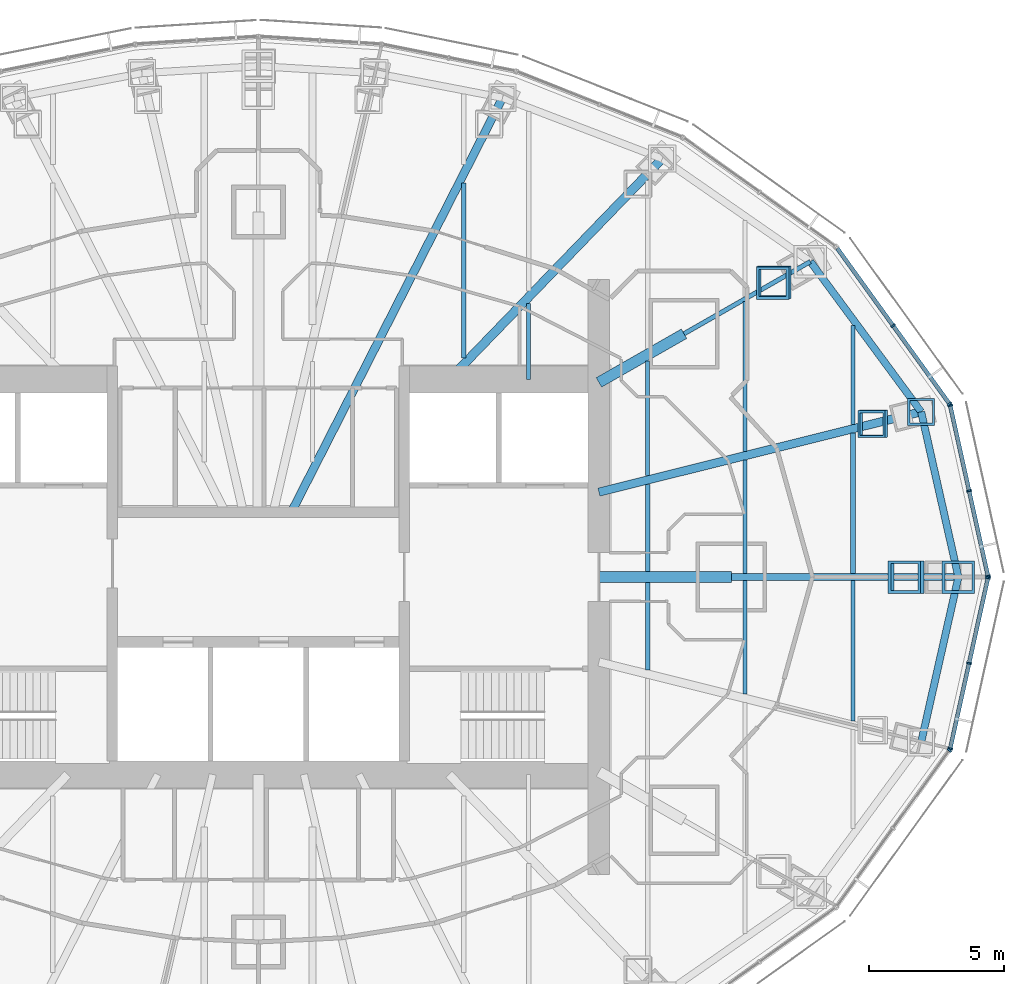
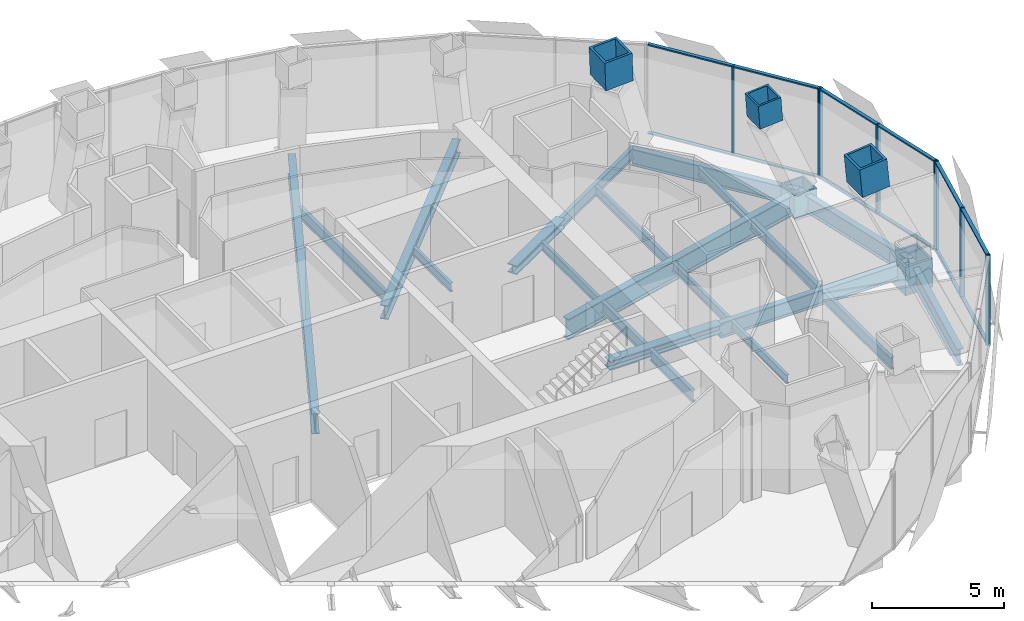
# One storey, part 7 of 18: 26 members, 21 beams, 4 elements without a shape of their own.
"""IFC4 building model written with IfcOpenShell, lengths in metres."""

from ifc_helpers import new_model, si_unit, direction, frame, origin, origin_2d, place, context, subcontext, project, spatial, rectangle, hollow_rectangle, i_section, extrude, material, material_profile, profile_set, type_object, element, aggregate, save


model = new_model("IFC4")

# Units and contexts
model_context = context("Model", 3, precision=1e-05, world=origin(), true_north=direction((0.0, 1.0)))
body_context = subcontext(model_context, "Body", "Model", "MODEL_VIEW")
ifc_project = project(units=[si_unit("LENGTHUNIT", "METRE"), si_unit("AREAUNIT", "SQUARE_METRE"), si_unit("VOLUMEUNIT", "CUBIC_METRE"), si_unit("PLANEANGLEUNIT", "RADIAN"), si_unit("MASSUNIT", "GRAM", prefix="KILO")], contexts=[model_context])

# Site, building, storey
site_placement = place(None, origin())
site = spatial("IfcSite", under=ifc_project, at=site_placement, CompositionType="ELEMENT")
building_placement = place(site_placement, origin())
building = spatial("IfcBuilding", under=site, at=building_placement, Name="Lantaw Convention Tower", CompositionType="ELEMENT")
storey_placement = place(building_placement, frame((0.0, 0.0, 266.199951171875)))
storey = spatial("IfcBuildingStorey", under=building, at=storey_placement, Name="L62", CompositionType="ELEMENT", Elevation=266.199951171875)

# Beams
ifc_material_1 = material(Name="Steel ASTM A992", Category="steel")
ifc_material_profile_1 = material_profile(ifc_material_1, i_section(OverallWidth=0.2666015625, OverallDepth=0.76953125, WebThickness=0.015625, FlangeThickness=0.025390625, FilletRadius=0.0126953125, at=origin_2d()), Name="W30X132")
ifc_profile_set_1 = profile_set([ifc_material_profile_1], Name="Steel ASTM A992")
beam_type_1 = type_object("IfcBeamType", Name="Beam E W30X132", PredefinedType="SPANDREL", material=ifc_profile_set_1)
beam_1_placement = place(storey_placement, frame((25.89990234375, 0.0, -0.53466796875), z_axis=(-0.219857926596, 0.97553190215, 0.0), x_axis=(-0.97553190215, -0.219857926596, 0.0)))
element("IfcBeam", 1, at=beam_1_placement, inside=storey, type_object=beam_type_1, Name="Edge beam 1", PredefinedType="SPANDREL", context=body_context, shape_type="SweptSolid", body=[
    extrude(i_section(OverallWidth=0.2666015625, OverallDepth=0.76953125, WebThickness=0.015625, FlangeThickness=0.025390625, FilletRadius=0.0126953125, at=origin_2d()), origin(), (0.0, 0.0, 1.0), 6.267333984375),
])
beam_2_placement = place(storey_placement, frame((24.52197265625, 6.114013671875, -0.53466796875), z_axis=(-0.593639188853, 0.804731329984, 0.0), x_axis=(-0.804731329984, -0.593639188853, 0.0)))
element("IfcBeam", 2, at=beam_2_placement, inside=storey, type_object=beam_type_1, Name="Edge beam 2", PredefinedType="SPANDREL", context=body_context, shape_type="SweptSolid", body=[
    extrude(i_section(OverallWidth=0.2666015625, OverallDepth=0.76953125, WebThickness=0.015625, FlangeThickness=0.025390625, FilletRadius=0.0126953125, at=origin_2d()), origin(), (0.0, 0.0, 1.0), 6.904541015625),
])
beam_3_placement = place(storey_placement, frame((24.52197265625, -6.114013671875, -0.53466796875), z_axis=(0.219857926596, 0.97553190215, 0.0), x_axis=(-0.97553190215, 0.219857926596, 0.0)))
element("IfcBeam", 3, at=beam_3_placement, inside=storey, type_object=beam_type_1, Name="Edge beam 24", PredefinedType="SPANDREL", context=body_context, shape_type="SweptSolid", body=[
    extrude(i_section(OverallWidth=0.2666015625, OverallDepth=0.76953125, WebThickness=0.015625, FlangeThickness=0.025390625, FilletRadius=0.0126953125, at=origin_2d()), origin(), (0.0, 0.0, 1.0), 6.267333984375),
])
ifc_material_profile_2 = material_profile(ifc_material_1, i_section(OverallWidth=0.1650390625, OverallDepth=0.52587890625, WebThickness=0.0087890625, FlangeThickness=0.011474609375, FilletRadius=0.0126953125, at=origin_2d()), Name="W21X44")
ifc_profile_set_2 = profile_set([ifc_material_profile_2], Name="Steel ASTM A992")
beam_type_2 = type_object("IfcBeamType", Name="Beam G W21X44", PredefinedType="BEAM", material=ifc_profile_set_2)
beam_4_placement = place(storey_placement, frame((15.75, 9.0, -0.412841796875), z_axis=(0.868237559289, 0.496148708192, 0.0), x_axis=(-0.496148708192, 0.868237559289, 0.0)))
element("IfcBeam", 4, at=beam_4_placement, inside=storey, type_object=beam_type_2, Name="Floor girder on ray 3", PredefinedType="BEAM", context=body_context, shape_type="SweptSolid", body=[
    extrude(i_section(OverallWidth=0.1650390625, OverallDepth=0.52587890625, WebThickness=0.0087890625, FlangeThickness=0.011474609375, FilletRadius=0.0126953125, at=origin_2d()), origin(), (0.0, 0.0, 1.0), 5.38232421875),
])
ifc_material_profile_3 = material_profile(ifc_material_1, i_section(OverallWidth=0.32763671875, OverallDepth=0.64013671875, WebThickness=0.01904296875, FlangeThickness=0.033935546875, FilletRadius=0.0126953125, at=origin_2d()), Name="W24X176")
ifc_profile_set_3 = profile_set([ifc_material_profile_3], Name="Steel ASTM A992")
beam_type_3 = type_object("IfcBeamType", Name="Beam G W24X176", PredefinedType="BEAM", material=ifc_profile_set_3)
beam_5_placement = place(storey_placement, frame((7.049560546875, 7.300048828125, -0.469970703125), z_axis=(0.694657766726, 0.719340383356, 0.0), x_axis=(-0.719340383356, 0.694657766726, 0.0)))
element("IfcBeam", 5, at=beam_5_placement, inside=storey, type_object=beam_type_3, Name="Floor girder on ray 4", PredefinedType="BEAM", context=body_context, shape_type="SweptSolid", body=[
    extrude(i_section(OverallWidth=0.32763671875, OverallDepth=0.64013671875, WebThickness=0.01904296875, FlangeThickness=0.033935546875, FilletRadius=0.0126953125, at=origin_2d()), origin(), (0.0, 0.0, 1.0), 11.364990234375),
])
ifc_material_profile_4 = material_profile(ifc_material_1, i_section(OverallWidth=0.25390625, OverallDepth=0.700927734375, WebThickness=0.015380859375, FlangeThickness=0.02783203125, FilletRadius=0.01513671875, at=origin_2d()), Name="W27X129")
ifc_profile_set_4 = profile_set([ifc_material_profile_4], Name="Steel ASTM A992")
beam_type_4 = type_object("IfcBeamType", Name="Beam G W27X129", PredefinedType="BEAM", material=ifc_profile_set_4)
beam_6_placement = place(storey_placement, frame((17.5, 0.0, -0.50048828125), z_axis=(1.0, 0.0, 0.0), x_axis=(0.0, 1.0, 0.0)))
element("IfcBeam", 6, at=beam_6_placement, inside=storey, type_object=beam_type_4, Name="Floor girder on ray 1", PredefinedType="BEAM", context=body_context, shape_type="SweptSolid", body=[
    extrude(i_section(OverallWidth=0.25390625, OverallDepth=0.700927734375, WebThickness=0.015380859375, FlangeThickness=0.02783203125, FilletRadius=0.01513671875, at=origin_2d()), origin(), (0.0, 0.0, 1.0), 8.39990234375),
])
ifc_material_profile_5 = material_profile(ifc_material_1, i_section(OverallWidth=0.307373046875, OverallDepth=0.9423828125, WebThickness=0.022216796875, FlangeThickness=0.039794921875, FilletRadius=0.0126953125, at=origin_2d()), Name="W36X232")
ifc_profile_set_5 = profile_set([ifc_material_profile_5], Name="Steel ASTM A992")
beam_type_5 = type_object("IfcBeamType", Name="Beam G W36X232", PredefinedType="BEAM", material=ifc_profile_set_5)
beam_7_placement = place(storey_placement, frame((12.60009765625, 3.1416015625, -0.62109375), z_axis=(0.970296589314, 0.241918434119, 0.0), x_axis=(-0.241918434119, 0.970296589314, 0.0)))
element("IfcBeam", 7, at=beam_7_placement, inside=storey, type_object=beam_type_5, Name="Floor girder on ray 2", PredefinedType="BEAM", context=body_context, shape_type="SweptSolid", body=[
    extrude(i_section(OverallWidth=0.307373046875, OverallDepth=0.9423828125, WebThickness=0.022216796875, FlangeThickness=0.039794921875, FilletRadius=0.0126953125, at=origin_2d()), origin(), (0.0, 0.0, 1.0), 12.286865234375),
])
beam_8_placement = place(storey_placement, frame((1.222900390625, 2.39990234375, -0.62109375), z_axis=(0.453988481463, 0.891007552549, 0.0), x_axis=(-0.891007552549, 0.453988481463, 0.0)))
element("IfcBeam", 8, at=beam_8_placement, inside=storey, type_object=beam_type_5, Name="Floor girder on ray 5", PredefinedType="BEAM", context=body_context, shape_type="SweptSolid", body=[
    extrude(i_section(OverallWidth=0.307373046875, OverallDepth=0.9423828125, WebThickness=0.022216796875, FlangeThickness=0.039794921875, FilletRadius=0.0126953125, at=origin_2d()), origin(), (0.0, 0.0, 1.0), 17.20703125),
])
ifc_material_profile_6 = material_profile(ifc_material_1, i_section(OverallWidth=0.40380859375, OverallDepth=0.406494140625, WebThickness=0.027099609375, FlangeThickness=0.043701171875, FilletRadius=0.01513671875, at=origin_2d()), Name="W14X233")
ifc_profile_set_6 = profile_set([ifc_material_profile_6], Name="Steel ASTM A992")
beam_type_6 = type_object("IfcBeamType", Name="Beam GM W14X233", PredefinedType="BEAM", material=ifc_profile_set_6)
beam_9_placement = place(storey_placement, frame((12.60009765625, 0.0, -0.353271484375), z_axis=(1.0, 0.0, 0.0), x_axis=(0.0, 1.0, 0.0)))
element("IfcBeam", 9, at=beam_9_placement, inside=storey, type_object=beam_type_6, Name="Core link beam on ray 1", PredefinedType="BEAM", context=body_context, shape_type="SweptSolid", body=[
    extrude(i_section(OverallWidth=0.40380859375, OverallDepth=0.406494140625, WebThickness=0.027099609375, FlangeThickness=0.043701171875, FilletRadius=0.01513671875, at=origin_2d()), origin(), (0.0, 0.0, 1.0), 4.89990234375),
])
beam_10_placement = place(storey_placement, frame((12.60009765625, 7.199951171875, -0.353271484375), z_axis=(0.868230718294, 0.496160679428, 0.0), x_axis=(-0.496160679428, 0.868230718294, 0.0)))
element("IfcBeam", 10, at=beam_10_placement, inside=storey, type_object=beam_type_6, Name="Core link beam on ray 3", PredefinedType="BEAM", context=body_context, shape_type="SweptSolid", body=[
    extrude(i_section(OverallWidth=0.40380859375, OverallDepth=0.406494140625, WebThickness=0.027099609375, FlangeThickness=0.043701171875, FilletRadius=0.01513671875, at=origin_2d()), origin(), (0.0, 0.0, 1.0), 3.6279296875),
])
ifc_material_profile_7 = material_profile(ifc_material_1, i_section(OverallWidth=0.140380859375, OverallDepth=0.40380859375, WebThickness=0.007080078125, FlangeThickness=0.01123046875, FilletRadius=0.01025390625, at=origin_2d()), Name="W16X31")
ifc_profile_set_7 = profile_set([ifc_material_profile_7], Name="Steel ASTM A992")
beam_type_7 = type_object("IfcBeamType", Name="Beam J W16X31", PredefinedType="JOIST", material=ifc_profile_set_7)
beam_11_placement = place(storey_placement, frame((10.0, 7.300048828125, -0.351806640625), z_axis=(0.0, 1.0, 0.0), x_axis=(-1.0, 0.0, 0.0)))
element("IfcBeam", 11, at=beam_11_placement, inside=storey, type_object=beam_type_7, Name="Floor joist", PredefinedType="JOIST", context=body_context, shape_type="SweptSolid", body=[
    extrude(i_section(OverallWidth=0.140380859375, OverallDepth=0.40380859375, WebThickness=0.007080078125, FlangeThickness=0.01123046875, FilletRadius=0.01025390625, at=origin_2d()), origin(), (0.0, 0.0, 1.0), 2.8193359375),
])
beam_12_placement = place(storey_placement, frame((14.39990234375, 3.748779296875, -0.351806640625), z_axis=(0.0, 1.0, 0.0), x_axis=(-1.0, 0.0, 0.0)))
element("IfcBeam", 12, at=beam_12_placement, inside=storey, type_object=beam_type_7, Name="Floor joist", PredefinedType="JOIST", context=body_context, shape_type="SweptSolid", body=[
    extrude(i_section(OverallWidth=0.140380859375, OverallDepth=0.40380859375, WebThickness=0.007080078125, FlangeThickness=0.01123046875, FilletRadius=0.01025390625, at=origin_2d()), origin(), (0.0, 0.0, 1.0), 4.247314453125),
])
for number, where, z_axis, x_axis, name in (
    (13, (18.0, -4.32958984375, -0.351806640625), (0.0, 1.0, 0.0), (-1.0, 0.0, 0.0), "Floor joist"),
    (14, (18.0, 0.126953125, -0.351806640625), (0.0, 1.0, 0.0), (-1.0, 0.0, 0.0), "Floor joist"),
):
    element("IfcBeam", number, at=place(storey_placement, frame(where, z_axis=z_axis, x_axis=x_axis)), inside=storey, type_object=beam_type_7, Name=name, PredefinedType="JOIST", context=body_context, shape_type="SweptSolid", body=[
        extrude(i_section(OverallWidth=0.140380859375, OverallDepth=0.40380859375, WebThickness=0.007080078125, FlangeThickness=0.01123046875, FilletRadius=0.01025390625, at=origin_2d()), origin(), (0.0, 0.0, 1.0), 4.20263671875),
    ])
beam_13_placement = place(storey_placement, frame((22.0, 5.6435546875, -0.351806640625), z_axis=(0.0, 1.0, 0.0), x_axis=(-1.0, 0.0, 0.0)))
element("IfcBeam", 15, at=beam_13_placement, inside=storey, type_object=beam_type_7, Name="Floor joist", PredefinedType="JOIST", context=body_context, shape_type="SweptSolid", body=[
    extrude(i_section(OverallWidth=0.140380859375, OverallDepth=0.40380859375, WebThickness=0.007080078125, FlangeThickness=0.01123046875, FilletRadius=0.01025390625, at=origin_2d()), origin(), (0.0, 0.0, 1.0), 3.66455078125),
])
ifc_material_profile_8 = material_profile(ifc_material_1, i_section(OverallWidth=0.15234375, OverallDepth=0.449462890625, WebThickness=0.007568359375, FlangeThickness=0.0107421875, FilletRadius=0.01025390625, at=origin_2d()), Name="W18X35")
ifc_profile_set_8 = profile_set([ifc_material_profile_8], Name="Steel ASTM A992")
beam_type_8 = type_object("IfcBeamType", Name="Beam J W18X35", PredefinedType="JOIST", material=ifc_profile_set_8)
beam_14_placement = place(storey_placement, frame((18.0, 4.646240234375, -0.374755859375), z_axis=(0.0, 1.0, 0.0), x_axis=(-1.0, 0.0, 0.0)))
element("IfcBeam", 16, at=beam_14_placement, inside=storey, type_object=beam_type_8, Name="Floor joist", PredefinedType="JOIST", context=body_context, shape_type="SweptSolid", body=[
    extrude(i_section(OverallWidth=0.15234375, OverallDepth=0.449462890625, WebThickness=0.007568359375, FlangeThickness=0.0107421875, FilletRadius=0.01025390625, at=origin_2d()), origin(), (0.0, 0.0, 1.0), 5.54443359375),
])
ifc_material_profile_9 = material_profile(ifc_material_1, i_section(OverallWidth=0.1904296875, OverallDepth=0.457275390625, WebThickness=0.009033203125, FlangeThickness=0.014404296875, FilletRadius=0.01025390625, at=origin_2d()), Name="W18X50")
ifc_profile_set_9 = profile_set([ifc_material_profile_9], Name="Steel ASTM A992")
beam_type_9 = type_object("IfcBeamType", Name="Beam J W18X50", PredefinedType="JOIST", material=ifc_profile_set_9)
beam_15_placement = place(storey_placement, frame((22.0, 0.126953125, -0.378662109375), z_axis=(0.0, 1.0, 0.0), x_axis=(-1.0, 0.0, 0.0)))
element("IfcBeam", 17, at=beam_15_placement, inside=storey, type_object=beam_type_9, Name="Floor joist", PredefinedType="JOIST", context=body_context, shape_type="SweptSolid", body=[
    extrude(i_section(OverallWidth=0.1904296875, OverallDepth=0.457275390625, WebThickness=0.009033203125, FlangeThickness=0.014404296875, FilletRadius=0.01025390625, at=origin_2d()), origin(), (0.0, 0.0, 1.0), 5.199951171875),
])
ifc_material_profile_10 = material_profile(ifc_material_1, i_section(OverallWidth=0.1650390625, OverallDepth=0.52587890625, WebThickness=0.0087890625, FlangeThickness=0.011474609375, FilletRadius=0.0126953125, at=origin_2d()), Name="W21X44")
ifc_profile_set_10 = profile_set([ifc_material_profile_10], Name="Steel ASTM A992")
beam_type_10 = type_object("IfcBeamType", Name="Beam J W21X44", PredefinedType="JOIST", material=ifc_profile_set_10)
beam_16_placement = place(storey_placement, frame((7.60009765625, 8.10595703125, -0.412841796875), z_axis=(0.0, 1.0, 0.0), x_axis=(-1.0, 0.0, 0.0)))
element("IfcBeam", 18, at=beam_16_placement, inside=storey, type_object=beam_type_10, Name="Floor joist", PredefinedType="JOIST", context=body_context, shape_type="SweptSolid", body=[
    extrude(i_section(OverallWidth=0.1650390625, OverallDepth=0.52587890625, WebThickness=0.0087890625, FlangeThickness=0.011474609375, FilletRadius=0.0126953125, at=origin_2d()), origin(), (0.0, 0.0, 1.0), 6.471435546875),
])
for number, where, z_axis, x_axis, name in (
    (19, (14.39990234375, -3.431884765625, -0.412841796875), (0.0, 1.0, 0.0), (-1.0, 0.0, 0.0), "Floor joist"),
    (20, (14.39990234375, 0.201904296875, -0.412841796875), (0.0, 1.0, 0.0), (-1.0, 0.0, 0.0), "Floor joist"),
):
    element("IfcBeam", number, at=place(storey_placement, frame(where, z_axis=z_axis, x_axis=x_axis)), inside=storey, type_object=beam_type_10, Name=name, PredefinedType="JOIST", context=body_context, shape_type="SweptSolid", body=[
        extrude(i_section(OverallWidth=0.1650390625, OverallDepth=0.52587890625, WebThickness=0.0087890625, FlangeThickness=0.011474609375, FilletRadius=0.0126953125, at=origin_2d()), origin(), (0.0, 0.0, 1.0), 3.22998046875),
    ])
beam_17_placement = place(storey_placement, frame((22.0, -5.326904296875, -0.412841796875), z_axis=(0.0, 1.0, 0.0), x_axis=(-1.0, 0.0, 0.0)))
element("IfcBeam", 21, at=beam_17_placement, inside=storey, type_object=beam_type_10, Name="Floor joist", PredefinedType="JOIST", context=body_context, shape_type="SweptSolid", body=[
    extrude(i_section(OverallWidth=0.1650390625, OverallDepth=0.52587890625, WebThickness=0.0087890625, FlangeThickness=0.011474609375, FilletRadius=0.0126953125, at=origin_2d()), origin(), (0.0, 0.0, 1.0), 5.199951171875),
])

# Curtain wall, members
ifc_material_2 = material(Name="Aluminium framed curtain wall", Category="aluminium")
curtain_wall_type = type_object("IfcCurtainWallType", Name="Office curtain wall high rise, pale aluminium", PredefinedType="USERDEFINED", material=ifc_material_2)
curtain_wall_1_placement = place(storey_placement, origin())
curtain_wall_1 = element("IfcCurtainWall", 22, at=curtain_wall_1_placement, inside=storey, type_object=curtain_wall_type, Name="Office curtain wall high rise, pale aluminium L62", ObjectType="UNITISED CURTAIN WALL", PredefinedType="USERDEFINED")
ifc_material_3 = material(Name="Aluminium 6063-T6", Category="aluminium")
ifc_material_profile_11 = material_profile(ifc_material_3, rectangle(XDim=0.179931640625, YDim=0.06494140625, at=origin_2d()), Name="CW-O2 mullion 65x180")
ifc_profile_set_11 = profile_set([ifc_material_profile_11], Name="Aluminium 6063-T6")
member_type_1 = type_object("IfcMemberType", Name="CW-O2 mullion 65x180", PredefinedType="MULLION", material=ifc_profile_set_11)
member_1_placement = place(storey_placement, frame((26.992919921875, 0.03173828125, -0.14990234375), z_axis=(0.0, 0.0, 1.0), x_axis=(-0.976417396437, -0.215891333626, 0.0)))
member_1 = element("IfcMember", 23, at=member_1_placement, type_object=member_type_1, Name="CW-O2 mullion 1", PredefinedType="MULLION", context=body_context, shape_type="SweptSolid", body=[
    extrude(rectangle(XDim=0.179931640625, YDim=0.06494140625, at=origin_2d()), origin(), (0.0, 0.0, 1.0), 4.14990234375),
])
member_2_placement = place(storey_placement, frame((26.294677734375, 3.190185546875, -0.14990234375), z_axis=(0.0, 0.0, 1.0), x_axis=(-0.976417396437, -0.215891333626, 0.0)))
member_2 = element("IfcMember", 24, at=member_2_placement, type_object=member_type_1, Name="CW-O2 mullion 2", PredefinedType="MULLION", context=body_context, shape_type="SweptSolid", body=[
    extrude(rectangle(XDim=0.179931640625, YDim=0.06494140625, at=origin_2d()), origin(), (0.0, 0.0, 1.0), 4.14990234375),
])
member_3_placement = place(storey_placement, frame((25.596435546875, 6.348388671875, -0.14990234375), z_axis=(0.0, 0.0, 1.0), x_axis=(-0.976417396437, -0.215891333626, 0.0)))
member_3 = element("IfcMember", 25, at=member_3_placement, type_object=member_type_1, Name="CW-O2 mullion 3", PredefinedType="MULLION", context=body_context, shape_type="SweptSolid", body=[
    extrude(rectangle(XDim=0.179931640625, YDim=0.06494140625, at=origin_2d()), origin(), (0.0, 0.0, 1.0), 4.14990234375),
])

curtain_wall_2_placement = place(storey_placement, origin())
curtain_wall_2 = element("IfcCurtainWall", 26, at=curtain_wall_2_placement, inside=storey, type_object=curtain_wall_type, Name="Office curtain wall high rise, pale aluminium L62", ObjectType="UNITISED CURTAIN WALL", PredefinedType="USERDEFINED")
member_4_placement = place(storey_placement, frame((25.5703125, 6.406494140625, -0.14990234375), z_axis=(0.0, 0.0, 1.0), x_axis=(-0.810919559405, -0.585157643865, 0.0)))
member_4 = element("IfcMember", 27, at=member_4_placement, type_object=member_type_1, Name="CW-O2 mullion 1", PredefinedType="MULLION", context=body_context, shape_type="SweptSolid", body=[
    extrude(rectangle(XDim=0.179931640625, YDim=0.06494140625, at=origin_2d()), origin(), (0.0, 0.0, 1.0), 4.14990234375),
])
member_5_placement = place(storey_placement, frame((23.483642578125, 9.298095703125, -0.14990234375), z_axis=(0.0, 0.0, 1.0), x_axis=(-0.810919559405, -0.585157643865, 0.0)))
member_5 = element("IfcMember", 28, at=member_5_placement, type_object=member_type_1, Name="CW-O2 mullion 2", PredefinedType="MULLION", context=body_context, shape_type="SweptSolid", body=[
    extrude(rectangle(XDim=0.179931640625, YDim=0.06494140625, at=origin_2d()), origin(), (0.0, 0.0, 1.0), 4.14990234375),
])

# Curtain wall, member
curtain_wall_3_placement = place(storey_placement, origin())
curtain_wall_3 = element("IfcCurtainWall", 29, at=curtain_wall_3_placement, inside=storey, type_object=curtain_wall_type, Name="Office curtain wall high rise, pale aluminium L62", ObjectType="UNITISED CURTAIN WALL", PredefinedType="USERDEFINED")
member_6_placement = place(storey_placement, frame((25.5703125, -6.406494140625, -0.14990234375), z_axis=(0.0, 0.0, 1.0), x_axis=(-0.810919559405, 0.585157643865, 0.0)))
member_6 = element("IfcMember", 30, at=member_6_placement, type_object=member_type_1, Name="CW-O2 mullion 3", PredefinedType="MULLION", context=body_context, shape_type="SweptSolid", body=[
    extrude(rectangle(XDim=0.179931640625, YDim=0.06494140625, at=origin_2d()), origin(), (0.0, 0.0, 1.0), 4.14990234375),
])
aggregate(curtain_wall_3, [member_6])

# Curtain wall, members
curtain_wall_4_placement = place(storey_placement, origin())
curtain_wall_4 = element("IfcCurtainWall", 31, at=curtain_wall_4_placement, inside=storey, type_object=curtain_wall_type, Name="Office curtain wall high rise, pale aluminium L62", ObjectType="UNITISED CURTAIN WALL", PredefinedType="USERDEFINED")
member_7_placement = place(storey_placement, frame((25.596435546875, -6.348388671875, -0.14990234375), z_axis=(0.0, 0.0, 1.0), x_axis=(-0.976417396437, 0.215891333626, 0.0)))
member_7 = element("IfcMember", 32, at=member_7_placement, type_object=member_type_1, Name="CW-O2 mullion 1", PredefinedType="MULLION", context=body_context, shape_type="SweptSolid", body=[
    extrude(rectangle(XDim=0.179931640625, YDim=0.06494140625, at=origin_2d()), origin(), (0.0, 0.0, 1.0), 4.14990234375),
])
member_8_placement = place(storey_placement, frame((26.294677734375, -3.190185546875, -0.14990234375), z_axis=(0.0, 0.0, 1.0), x_axis=(-0.976417396437, 0.215891333626, 0.0)))
member_8 = element("IfcMember", 33, at=member_8_placement, type_object=member_type_1, Name="CW-O2 mullion 2", PredefinedType="MULLION", context=body_context, shape_type="SweptSolid", body=[
    extrude(rectangle(XDim=0.179931640625, YDim=0.06494140625, at=origin_2d()), origin(), (0.0, 0.0, 1.0), 4.14990234375),
])
member_9_placement = place(storey_placement, frame((26.992919921875, -0.03173828125, -0.14990234375), z_axis=(0.0, 0.0, 1.0), x_axis=(-0.976417396437, 0.215891333626, 0.0)))
member_9 = element("IfcMember", 34, at=member_9_placement, type_object=member_type_1, Name="CW-O2 mullion 3", PredefinedType="MULLION", context=body_context, shape_type="SweptSolid", body=[
    extrude(rectangle(XDim=0.179931640625, YDim=0.06494140625, at=origin_2d()), origin(), (0.0, 0.0, 1.0), 4.14990234375),
])

# Member
ifc_material_profile_12 = material_profile(ifc_material_3, rectangle(XDim=0.14990234375, YDim=0.06494140625, at=origin_2d()), Name="CW-O2 transom 65x150")
ifc_profile_set_12 = profile_set([ifc_material_profile_12], Name="Aluminium 6063-T6")
member_type_2 = type_object("IfcMemberType", Name="CW-O2 transom 65x150", PredefinedType="USERDEFINED", material=ifc_profile_set_12)
member_10_placement = place(storey_placement, frame((26.986083984375, 0.0634765625, -0.117431640625), z_axis=(-0.215894607042, 0.976416672661, 0.0), x_axis=(-0.976416672661, -0.215894607042, 0.0)))
member_10 = element("IfcMember", 35, at=member_10_placement, type_object=member_type_2, Name="CW-O2 transom 1.1", ObjectType="TRANSOM", PredefinedType="USERDEFINED", context=body_context, shape_type="SweptSolid", body=[
    extrude(rectangle(XDim=0.14990234375, YDim=0.06494140625, at=origin_2d()), origin(), (0.0, 0.0, 1.0), 3.169677734375),
])

member_11_placement = place(storey_placement, frame((26.986083984375, 0.0634765625, 3.967529296875), z_axis=(-0.215894607042, 0.976416672661, 0.0), x_axis=(-0.976416672661, -0.215894607042, 0.0)))
member_11 = element("IfcMember", 36, at=member_11_placement, type_object=member_type_2, Name="CW-O2 transom 1.2", ObjectType="TRANSOM", PredefinedType="USERDEFINED", context=body_context, shape_type="SweptSolid", body=[
    extrude(rectangle(XDim=0.14990234375, YDim=0.06494140625, at=origin_2d()), origin(), (0.0, 0.0, 1.0), 3.169677734375),
])

member_12_placement = place(storey_placement, frame((26.28759765625, 3.2216796875, -0.117431640625), z_axis=(-0.215894607042, 0.976416672661, 0.0), x_axis=(-0.976416672661, -0.215894607042, 0.0)))
member_12 = element("IfcMember", 37, at=member_12_placement, type_object=member_type_2, Name="CW-O2 transom 2.1", ObjectType="TRANSOM", PredefinedType="USERDEFINED", context=body_context, shape_type="SweptSolid", body=[
    extrude(rectangle(XDim=0.14990234375, YDim=0.06494140625, at=origin_2d()), origin(), (0.0, 0.0, 1.0), 3.169677734375),
])

member_13_placement = place(storey_placement, frame((26.28759765625, 3.2216796875, 3.967529296875), z_axis=(-0.215894607042, 0.976416672661, 0.0), x_axis=(-0.976416672661, -0.215894607042, 0.0)))
member_13 = element("IfcMember", 38, at=member_13_placement, type_object=member_type_2, Name="CW-O2 transom 2.2", ObjectType="TRANSOM", PredefinedType="USERDEFINED", context=body_context, shape_type="SweptSolid", body=[
    extrude(rectangle(XDim=0.14990234375, YDim=0.06494140625, at=origin_2d()), origin(), (0.0, 0.0, 1.0), 3.169677734375),
])

aggregate(curtain_wall_1, [member_1, member_2, member_3, member_10, member_11, member_12, member_13])

member_14_placement = place(storey_placement, frame((25.55126953125, 6.432861328125, -0.117431640625), z_axis=(-0.585169685931, 0.810910869743, 0.0), x_axis=(-0.810910869743, -0.585169685931, 0.0)))
member_14 = element("IfcMember", 39, at=member_14_placement, type_object=member_type_2, Name="CW-O2 transom 1.1", ObjectType="TRANSOM", PredefinedType="USERDEFINED", context=body_context, shape_type="SweptSolid", body=[
    extrude(rectangle(XDim=0.14990234375, YDim=0.06494140625, at=origin_2d()), origin(), (0.0, 0.0, 1.0), 3.500732421875),
])

member_15_placement = place(storey_placement, frame((25.55126953125, 6.432861328125, 3.967529296875), z_axis=(-0.585169685931, 0.810910869743, 0.0), x_axis=(-0.810910869743, -0.585169685931, 0.0)))
member_15 = element("IfcMember", 40, at=member_15_placement, type_object=member_type_2, Name="CW-O2 transom 1.2", ObjectType="TRANSOM", PredefinedType="USERDEFINED", context=body_context, shape_type="SweptSolid", body=[
    extrude(rectangle(XDim=0.14990234375, YDim=0.06494140625, at=origin_2d()), origin(), (0.0, 0.0, 1.0), 3.500732421875),
])

member_16_placement = place(storey_placement, frame((23.464599609375, 9.324462890625, -0.117431640625), z_axis=(-0.585123825205, 0.810943961798, 0.0), x_axis=(-0.810943961798, -0.585123825205, 0.0)))
member_16 = element("IfcMember", 41, at=member_16_placement, type_object=member_type_2, Name="CW-O2 transom 2.1", ObjectType="TRANSOM", PredefinedType="USERDEFINED", context=body_context, shape_type="SweptSolid", body=[
    extrude(rectangle(XDim=0.14990234375, YDim=0.06494140625, at=origin_2d()), origin(), (0.0, 0.0, 1.0), 3.500732421875),
])

member_17_placement = place(storey_placement, frame((23.464599609375, 9.324462890625, 3.967529296875), z_axis=(-0.585123825205, 0.810943961798, 0.0), x_axis=(-0.810943961798, -0.585123825205, 0.0)))
member_17 = element("IfcMember", 42, at=member_17_placement, type_object=member_type_2, Name="CW-O2 transom 2.2", ObjectType="TRANSOM", PredefinedType="USERDEFINED", context=body_context, shape_type="SweptSolid", body=[
    extrude(rectangle(XDim=0.14990234375, YDim=0.06494140625, at=origin_2d()), origin(), (0.0, 0.0, 1.0), 3.500732421875),
])

aggregate(curtain_wall_2, [member_4, member_5, member_14, member_15, member_16, member_17])

member_18_placement = place(storey_placement, frame((25.603271484375, -6.316650390625, -0.117431640625), z_axis=(0.215894607042, 0.976416672661, 0.0), x_axis=(-0.976416672661, 0.215894607042, 0.0)))
member_18 = element("IfcMember", 43, at=member_18_placement, type_object=member_type_2, Name="CW-O2 transom 1.1", ObjectType="TRANSOM", PredefinedType="USERDEFINED", context=body_context, shape_type="SweptSolid", body=[
    extrude(rectangle(XDim=0.14990234375, YDim=0.06494140625, at=origin_2d()), origin(), (0.0, 0.0, 1.0), 3.169677734375),
])

member_19_placement = place(storey_placement, frame((25.603271484375, -6.316650390625, 3.967529296875), z_axis=(0.215894607042, 0.976416672661, 0.0), x_axis=(-0.976416672661, 0.215894607042, 0.0)))
member_19 = element("IfcMember", 44, at=member_19_placement, type_object=member_type_2, Name="CW-O2 transom 1.2", ObjectType="TRANSOM", PredefinedType="USERDEFINED", context=body_context, shape_type="SweptSolid", body=[
    extrude(rectangle(XDim=0.14990234375, YDim=0.06494140625, at=origin_2d()), origin(), (0.0, 0.0, 1.0), 3.169677734375),
])

member_20_placement = place(storey_placement, frame((26.3017578125, -3.158447265625, -0.117431640625), z_axis=(0.215894607042, 0.976416672661, 0.0), x_axis=(-0.976416672661, 0.215894607042, 0.0)))
member_20 = element("IfcMember", 45, at=member_20_placement, type_object=member_type_2, Name="CW-O2 transom 2.1", ObjectType="TRANSOM", PredefinedType="USERDEFINED", context=body_context, shape_type="SweptSolid", body=[
    extrude(rectangle(XDim=0.14990234375, YDim=0.06494140625, at=origin_2d()), origin(), (0.0, 0.0, 1.0), 3.169677734375),
])

member_21_placement = place(storey_placement, frame((26.3017578125, -3.158447265625, 3.967529296875), z_axis=(0.215894607042, 0.976416672661, 0.0), x_axis=(-0.976416672661, 0.215894607042, 0.0)))
member_21 = element("IfcMember", 46, at=member_21_placement, type_object=member_type_2, Name="CW-O2 transom 2.2", ObjectType="TRANSOM", PredefinedType="USERDEFINED", context=body_context, shape_type="SweptSolid", body=[
    extrude(rectangle(XDim=0.14990234375, YDim=0.06494140625, at=origin_2d()), origin(), (0.0, 0.0, 1.0), 3.169677734375),
])

aggregate(curtain_wall_4, [member_7, member_8, member_9, member_18, member_19, member_20, member_21])

# Members
ifc_material_4 = material(Name="Cast steel ASTM A148 Grade 80-50", Category="steel")
ifc_material_profile_13 = material_profile(ifc_material_4, hollow_rectangle(XDim=1.0, YDim=1.0, WallThickness=0.080078125, at=origin_2d()), Name="BOX1000X80")
ifc_profile_set_13 = profile_set([ifc_material_profile_13], Name="Cast steel ASTM A148 Grade 80-50")
member_type_3 = type_object("IfcMemberType", Name="Member CN BOX1000X80", PredefinedType="USERDEFINED", material=ifc_profile_set_13)
member_22_placement = place(storey_placement, frame((24.52197265625, 6.114013671875, -1.099853515625), z_axis=(0.0, 0.0, 1.0), x_axis=(1.0, 0.0, 0.0)))
element("IfcMember", 47, at=member_22_placement, inside=storey, type_object=member_type_3, Name="Cast steel column node", ObjectType="COLUMN NODE", PredefinedType="USERDEFINED", context=body_context, shape_type="SweptSolid", body=[
    extrude(hollow_rectangle(XDim=1.0, YDim=1.0, WallThickness=0.080078125, at=origin_2d()), origin(), (0.0, 0.0, 1.0), 1.099853515625),
])
member_23_placement = place(storey_placement, frame((22.778076171875, 5.67919921875, 3.99169921875), z_axis=(-0.082478910329, -0.020564446811, 0.996380616471), x_axis=(0.996592810197, -0.001698130126, 0.082461427453)))
element("IfcMember", 48, at=member_23_placement, inside=storey, type_object=member_type_3, Name="Cast steel column node", ObjectType="COLUMN NODE", PredefinedType="USERDEFINED", context=body_context, shape_type="SweptSolid", body=[
    extrude(hollow_rectangle(XDim=1.0, YDim=1.0, WallThickness=0.080078125, at=origin_2d()), origin(), (0.0, 0.0, 1.0), 1.10400390625),
])
ifc_material_profile_14 = material_profile(ifc_material_4, hollow_rectangle(XDim=1.199951171875, YDim=1.199951171875, WallThickness=0.10009765625, at=origin_2d()), Name="BOX1200X100")
ifc_profile_set_14 = profile_set([ifc_material_profile_14], Name="Cast steel ASTM A148 Grade 80-50")
member_type_4 = type_object("IfcMemberType", Name="Member CN BOX1200X100", PredefinedType="USERDEFINED", material=ifc_profile_set_14)
member_24_placement = place(storey_placement, frame((25.89990234375, 0.0, -1.320068359375), z_axis=(0.0, 0.0, 1.0), x_axis=(1.0, 0.0, 0.0)))
element("IfcMember", 49, at=member_24_placement, inside=storey, type_object=member_type_4, Name="Cast steel column node", ObjectType="COLUMN NODE", PredefinedType="USERDEFINED", context=body_context, shape_type="SweptSolid", body=[
    extrude(hollow_rectangle(XDim=1.199951171875, YDim=1.199951171875, WallThickness=0.10009765625, at=origin_2d()), origin(), (0.0, 0.0, 1.0), 1.320068359375),
])
member_25_placement = place(storey_placement, frame((24.024169921875, 0.0, 3.939208984375), z_axis=(-0.093740052489, 0.0, 0.995596706784), x_axis=(0.995596706784, 0.0, 0.093740052489)))
element("IfcMember", 50, at=member_25_placement, inside=storey, type_object=member_type_4, Name="Cast steel column node", ObjectType="COLUMN NODE", PredefinedType="USERDEFINED", context=body_context, shape_type="SweptSolid", body=[
    extrude(hollow_rectangle(XDim=1.199951171875, YDim=1.199951171875, WallThickness=0.10009765625, at=origin_2d()), origin(), (0.0, 0.0, 1.0), 1.32568359375),
])
member_26_placement = place(storey_placement, frame((19.09912109375, 10.913818359375, 3.982421875), z_axis=(-0.05463540276, -0.031193861711, 0.998018995689), x_axis=(0.998506304654, -0.002070978644, 0.054597349877)))
element("IfcMember", 51, at=member_26_placement, inside=storey, type_object=member_type_4, Name="Cast steel column node", ObjectType="COLUMN NODE", PredefinedType="USERDEFINED", context=body_context, shape_type="SweptSolid", body=[
    extrude(hollow_rectangle(XDim=1.199951171875, YDim=1.199951171875, WallThickness=0.10009765625, at=origin_2d()), origin(), (0.0, 0.0, 1.0), 1.32275390625),
])

save(model, "model.ifc")
